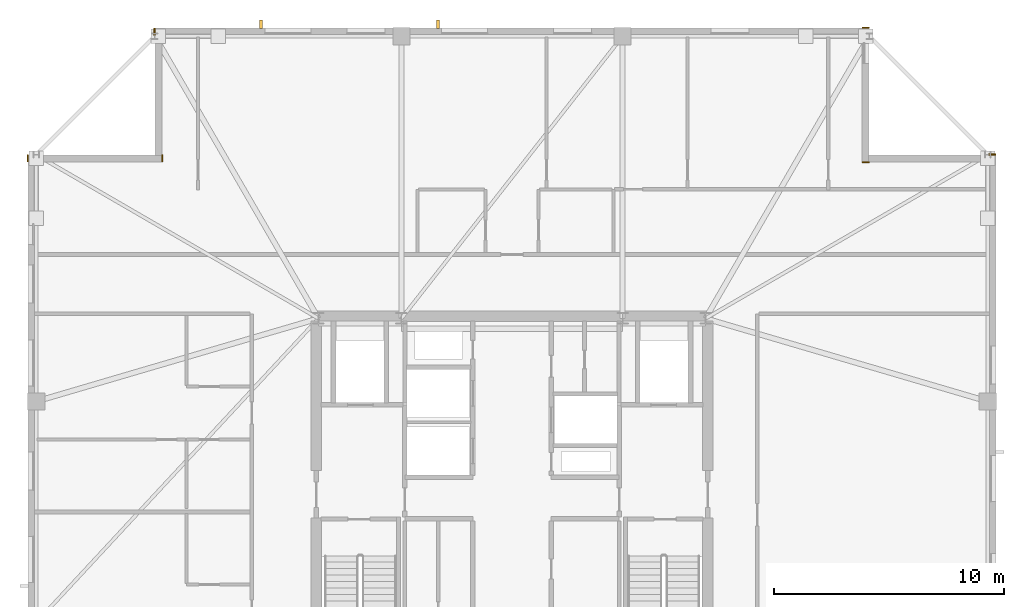
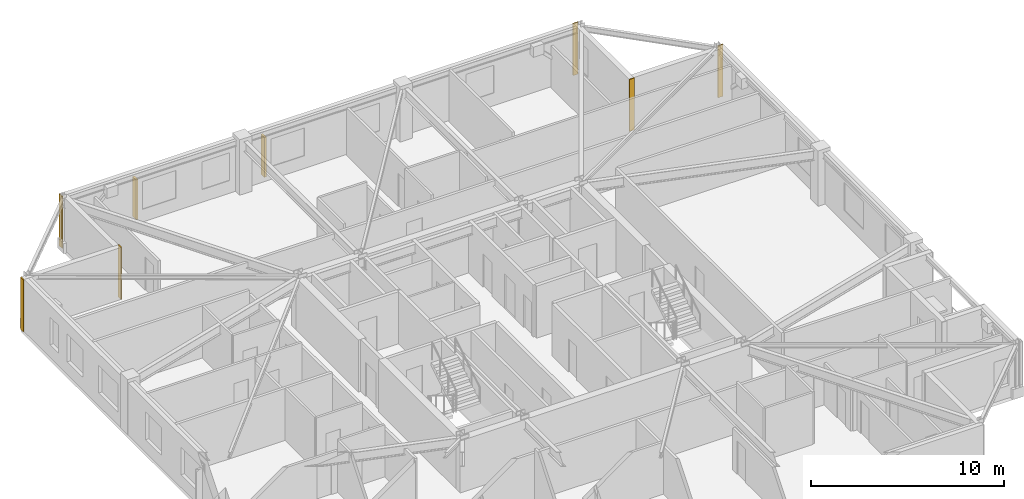
# One storey, part 14 of 14: 6 coverings, 2 shading devices.
"""IFC4 building model written with IfcOpenShell, lengths in metres."""

import ifcopenshell
import ifcopenshell.guid

model = None  # the IFC model being written
_history = None  # IfcOwnerHistory: only IFC2X3 demands one
_inside = {}  # id of a spatial element -> (the spatial element, [elements in it])
_under = {}  # id of a project, library or spatial element -> (it, [spatial elements below it])
_declared = {}  # id of a project -> (the project, [libraries it declares])
_typed = {}  # id of a type object -> (the type object, [elements of that type])
_made_of = {}  # id of a material, layer set ... -> (it, [elements and type objects made of it])


def new_model(schema):
    """Start an empty IFC model of exactly this schema.

    Asked for "IFC4X3", IfcOpenShell would pick the latest addendum, in which some entities
    have other attributes; the version numbers below select the first issue.
    IFC2X3 requires an IfcOwnerHistory on every rooted entity: one is made here for all.
    """
    global model, _history
    if schema == "IFC4X3":
        model = ifcopenshell.file(schema_version=(4, 3, 0, 0))
    else:
        model = ifcopenshell.file(schema=schema)
    _inside.clear()
    _under.clear()
    _declared.clear()
    _typed.clear()
    _made_of.clear()
    _history = None
    if model.schema == "IFC2X3":
        org = make("IfcOrganization", Name="unknown")
        user = make(
            "IfcPersonAndOrganization",
            ThePerson=make("IfcPerson", FamilyName="unknown"),
            TheOrganization=org,
        )
        app = make(
            "IfcApplication",
            ApplicationDeveloper=org,
            Version="unknown",
            ApplicationFullName="unknown",
            ApplicationIdentifier="unknown",
        )
        _history = make(
            "IfcOwnerHistory",
            OwningUser=user,
            OwningApplication=app,
            ChangeAction="ADDED",
            CreationDate=0,
        )
    return model


def make(cls, **values):
    """One entity of the class cls with the attributes given. An attribute that is None is left unset."""
    return model.create_entity(
        cls, **{name: value for name, value in values.items() if value is not None}
    )


def rooted(cls, **values):
    """An entity with a GlobalId (a new one), such as an element, a storey or a relation."""
    return make(cls, GlobalId=ifcopenshell.guid.new(), OwnerHistory=_history, **values)


def si_unit(unit_type, name, prefix=None):
    """IfcSIUnit, for example si_unit("LENGTHUNIT", "METRE", prefix="MILLI")."""
    return make("IfcSIUnit", UnitType=unit_type, Prefix=prefix, Name=name)


def assignment(units):
    """IfcUnitAssignment: the units of a project."""
    return None if units is None else make("IfcUnitAssignment", Units=units)


def point(xyz):
    """IfcCartesianPoint."""
    return None if xyz is None else make("IfcCartesianPoint", Coordinates=xyz)


def direction(xyz):
    """IfcDirection."""
    return None if xyz is None else make("IfcDirection", DirectionRatios=xyz)


def frame(location, z_axis=None, x_axis=None):
    """IfcAxis2Placement3D, a coordinate frame: its origin and axes. An axis left out is left unset."""
    return make(
        "IfcAxis2Placement3D",
        Location=point(location),
        Axis=direction(z_axis),
        RefDirection=direction(x_axis),
    )


def frame_2d(location, x_axis=None):
    """IfcAxis2Placement2D, a coordinate frame in the plane: its origin and x axis."""
    return make(
        "IfcAxis2Placement2D", Location=point(location), RefDirection=direction(x_axis)
    )


def origin():
    """The frame at (0, 0, 0) with its axes left unset."""
    return frame((0.0, 0.0, 0.0))


def origin_2d():
    """The frame at (0, 0) in the plane with its x axis left unset."""
    return frame_2d((0.0, 0.0))


def place(relative_to, where):
    """IfcLocalPlacement: puts the frame where relative to a parent placement (None: the world)."""
    return make(
        "IfcLocalPlacement", PlacementRelTo=relative_to, RelativePlacement=where
    )


def context(
    kind, dimensions, precision=None, world=None, true_north=None, identifier=None
):
    """IfcGeometricRepresentationContext, for example the 3D "Model" context."""
    return make(
        "IfcGeometricRepresentationContext",
        ContextIdentifier=identifier,
        ContextType=kind,
        CoordinateSpaceDimension=dimensions,
        Precision=precision,
        WorldCoordinateSystem=world,
        TrueNorth=true_north,
    )


def subcontext(parent, identifier, kind, view, scale=None):
    """IfcGeometricRepresentationSubContext, for example "Body" below "Model"."""
    return make(
        "IfcGeometricRepresentationSubContext",
        ContextIdentifier=identifier,
        ContextType=kind,
        ParentContext=parent,
        TargetScale=scale,
        TargetView=view,
    )


def project(units=None, contexts=None):
    """IfcProject with its units and contexts."""
    return rooted(
        "IfcProject",
        Name="project",
        RepresentationContexts=contexts,
        UnitsInContext=assignment(units),
    )


def spatial(cls, under=None, at=None, **own):
    """A site, building, storey or space (cls), placed at a placement, below another one or the project."""
    s = rooted(cls, ObjectPlacement=at, **own)
    if under is not None:
        _under.setdefault(under.id(), (under, []))[1].append(s)
    return s


def profile(cls, at=None, kind="AREA", **sizes):
    """A parametric profile (cls). Its sizes go by their IFC names, for example OverallWidth=200.0."""
    return make(cls, ProfileType=kind, Position=at, **sizes)


def rectangle(**sizes):
    """IfcRectangleProfileDef."""
    return profile("IfcRectangleProfileDef", **sizes)


def extrude(swept, where, along, depth):
    """IfcExtrudedAreaSolid: the profile swept, set in the frame where, extruded along a direction by depth."""
    return make(
        "IfcExtrudedAreaSolid",
        SweptArea=swept,
        Position=where,
        ExtrudedDirection=direction(along),
        Depth=depth,
    )


def shape(context_of_items, identifier, shape_type, items):
    """IfcShapeRepresentation: the items that make up one representation, for example the "Body"."""
    return make(
        "IfcShapeRepresentation",
        ContextOfItems=context_of_items,
        RepresentationIdentifier=identifier,
        RepresentationType=shape_type,
        Items=items,
    )


def material(Name=None, Category=None):
    """IfcMaterial."""
    return make("IfcMaterial", Name=Name, Category=Category)


def layer(
    of_material, thickness, ventilated=None, Name=None, Category=None, Priority=None
):
    """IfcMaterialLayer: one layer of a wall or slab, of a material (None: an air gap)."""
    return make(
        "IfcMaterialLayer",
        Material=of_material,
        LayerThickness=thickness,
        IsVentilated=ventilated,
        Name=Name,
        Category=Category,
        Priority=Priority,
    )


def layer_set(layers, Name=None):
    """IfcMaterialLayerSet."""
    return make("IfcMaterialLayerSet", MaterialLayers=layers, LayerSetName=Name)


def made_of(thing, what):
    """Note that an element or type object is made of a material, layer set ...; save() writes the relation."""
    if what is not None:
        _made_of.setdefault(what.id(), (what, []))[1].append(thing)
    return thing


def type_object(cls, material=None, **own):
    """A type object (cls), such as IfcWallType, which elements share."""
    return made_of(rooted(cls, **own), material)


def element(
    cls,
    number,
    at=None,
    inside=None,
    cuts=None,
    type_object=None,
    material=None,
    context=None,
    identifier="Body",
    shape_type=None,
    held_by="IfcProductDefinitionShape",
    body=None,
    shapes=None,
    **own,
):
    """One element of the class cls, such as IfcWall. Its Tag is "e" and its number.

    at: its placement. inside: the storey or other place that contains it. cuts: it is an
    opening in that element (IfcRelVoidsElement). A single representation is given by context,
    identifier, shape_type and body (its items); several are given by shapes. held_by: the class
    of the entity that holds the representations. save() writes the other relations.
    """
    e = rooted(cls, Tag="e%d" % number, ObjectPlacement=at, **own)
    if body is not None:
        shapes = [shape(context, identifier, shape_type, body)]
    if shapes is not None:
        e.Representation = make(held_by, Representations=shapes)
    if inside is not None:
        _inside.setdefault(inside.id(), (inside, []))[1].append(e)
    if cuts is not None:
        rooted(
            "IfcRelVoidsElement", RelatingBuildingElement=cuts, RelatedOpeningElement=e
        )
    if type_object is not None:
        _typed.setdefault(type_object.id(), (type_object, []))[1].append(e)
    return made_of(e, material)


def aggregate(whole, parts):
    """IfcRelAggregates: a whole, such as a stair, and the parts it consists of."""
    return rooted("IfcRelAggregates", RelatingObject=whole, RelatedObjects=parts)


def save(model, path):
    """Write the relations noted so far, then the file.

    IfcRelAggregates (storeys below a building ...), IfcRelContainedInSpatialStructure (elements
    in a storey), IfcRelDefinesByType, IfcRelAssociatesMaterial and IfcRelDeclares: one each for
    every whole, place, type object, material and project.
    """
    for whole, parts in _under.values():
        aggregate(whole, parts)
    for where, things in _inside.values():
        rooted(
            "IfcRelContainedInSpatialStructure",
            RelatedElements=things,
            RelatingStructure=where,
        )
    for kind, things in _typed.values():
        rooted("IfcRelDefinesByType", RelatedObjects=things, RelatingType=kind)
    for what, things in _made_of.values():
        rooted("IfcRelAssociatesMaterial", RelatedObjects=things, RelatingMaterial=what)
    for by, libraries in _declared.values():
        rooted("IfcRelDeclares", RelatingContext=by, RelatedDefinitions=libraries)
    model.write(path)


model = new_model("IFC4")

# Units and contexts
model_context = context("Model", 3, precision=1e-05, world=origin(), true_north=direction((0.0, 1.0)))
body_context = subcontext(model_context, "Body", "Model", "MODEL_VIEW")
ifc_project = project(units=[si_unit("LENGTHUNIT", "METRE"), si_unit("AREAUNIT", "SQUARE_METRE"), si_unit("VOLUMEUNIT", "CUBIC_METRE"), si_unit("PLANEANGLEUNIT", "RADIAN"), si_unit("MASSUNIT", "GRAM", prefix="KILO")], contexts=[model_context])

# Site, building, storey
site_placement = place(None, origin())
site = spatial("IfcSite", under=ifc_project, at=site_placement, CompositionType="ELEMENT")
building_placement = place(site_placement, origin())
building = spatial("IfcBuilding", under=site, at=building_placement, Name="Cairnveth Concourse Tower", CompositionType="ELEMENT")
storey_placement = place(building_placement, frame((0.0, 0.0, 294.5)))
storey = spatial("IfcBuildingStorey", under=building, at=storey_placement, Name="L81", CompositionType="ELEMENT", Elevation=294.5)

# Coverings
ifc_material_1 = material(Name="Dressed Melbourne Bluestone Cladding", Category="masonry")
ifc_layer = layer(ifc_material_1, 0.050048828125)
ifc_layer_set = layer_set([ifc_layer], Name="Dressed Melbourne Bluestone Cladding")
covering_type = type_object("IfcCoveringType", Name="DRESSED BLUESTONE PLINTH CLADDING 50", PredefinedType="CLADDING", material=ifc_layer_set)
for number, where, z_axis, x_axis, name in (
    (1, (30.97998046875, 54.199951171875, 0.0), (0.0, 0.0, 1.0), (0.0, 1.0, 0.0), "Melbourne Bluestone Corner Quoin L81-1234"),
    (2, (36.820068359375, 54.199951171875, 0.0), (0.0, 0.0, 1.0), (0.0, 1.0, 0.0), "Melbourne Bluestone Corner Quoin L81-1235"),
    (3, (36.47998046875, 59.699951171875, 0.0), (0.0, 0.0, 1.0), (0.0, 1.0, 0.0), "Melbourne Bluestone Corner Quoin L81-1236"),
    (4, (67.199951171875, 60.02001953125, 0.0), (0.0, 0.0, 1.0), (1.0, 0.0, 0.0), "Melbourne Bluestone Corner Quoin L81-1237"),
    (5, (67.199951171875, 54.179931640625, 0.0), (0.0, 0.0, 1.0), (1.0, 0.0, 0.0), "Melbourne Bluestone Corner Quoin L81-1238"),
    (6, (72.699951171875, 54.52001953125, 0.0), (0.0, 0.0, 1.0), (1.0, 0.0, 0.0), "Melbourne Bluestone Corner Quoin L81-1239"),
):
    element("IfcCovering", number, at=place(storey_placement, frame(where, z_axis=z_axis, x_axis=x_axis)), inside=storey, type_object=covering_type, Name=name, PredefinedType="CLADDING", context=body_context, shape_type="SweptSolid", body=[
        extrude(rectangle(XDim=0.300048828125, YDim=0.050048828125, at=frame_2d((0.14990234375, 0.0))), origin(), (0.0, 0.0, 1.0), 3.2900390625),
    ])

# Shading devices
ifc_material_2 = material(Name="Architectural Bronze Anodised Aluminium 6063-T6", Category="aluminium")
shading_device_type = type_object("IfcShadingDeviceType", Name="GOTHIC BRONZE VERTICAL LANCET FIN", PredefinedType="USERDEFINED", material=ifc_material_2)
for number, where, z_axis, x_axis, name in (
    (7, (41.1083984375, 60.175048828125, 0.030029296875), (0.0, 0.0, 1.0), (1.0, 0.0, 0.0), "Gothic Bronze Vertical Fin L81-9-1"),
    (8, (48.782470703125, 60.175048828125, 0.030029296875), (0.0, 0.0, 1.0), (1.0, 0.0, 0.0), "Gothic Bronze Vertical Fin L81-9-3"),
):
    element("IfcShadingDevice", number, at=place(storey_placement, frame(where, z_axis=z_axis, x_axis=x_axis)), inside=storey, type_object=shading_device_type, Name=name, ObjectType="VERTICAL FIN", PredefinedType="USERDEFINED", context=body_context, shape_type="SweptSolid", body=[
        extrude(rectangle(XDim=0.1201171875, YDim=0.360107421875, at=origin_2d()), origin(), (0.0, 0.0, 1.0), 2.51806640625),
    ])

save(model, "model.ifc")
